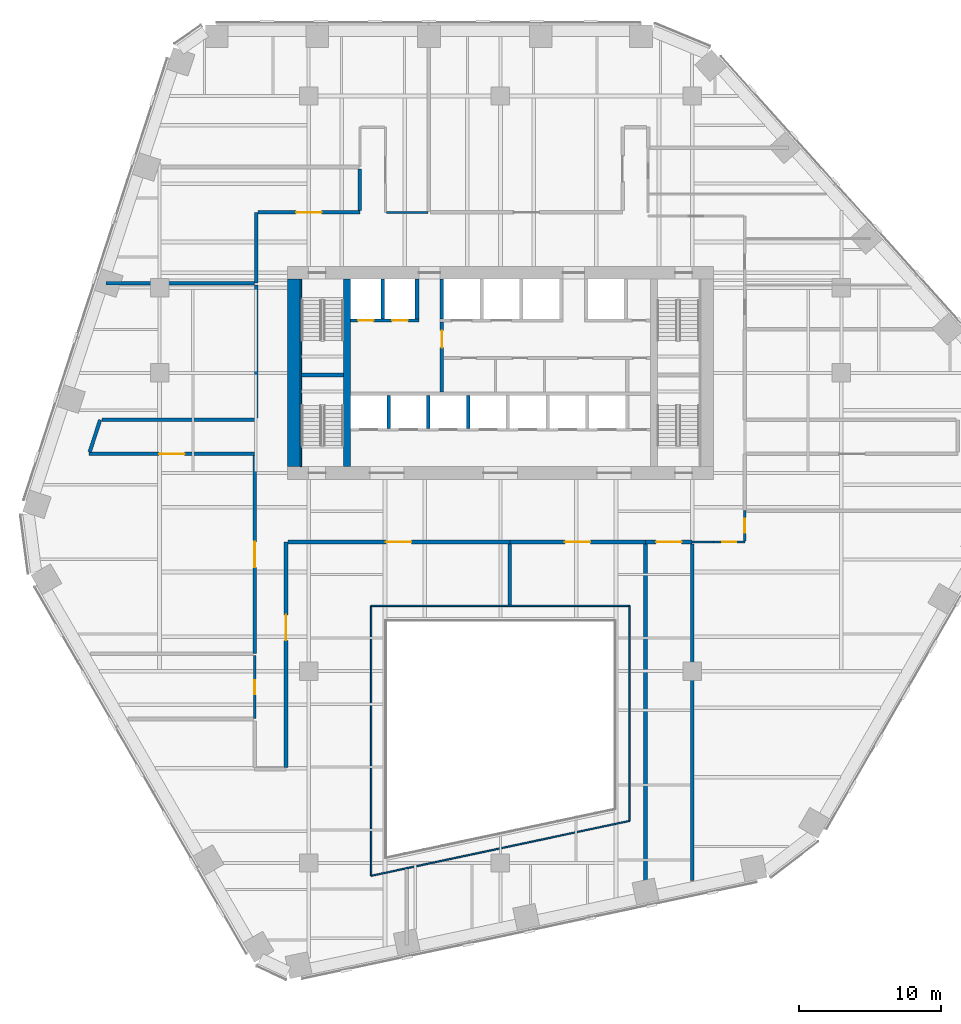
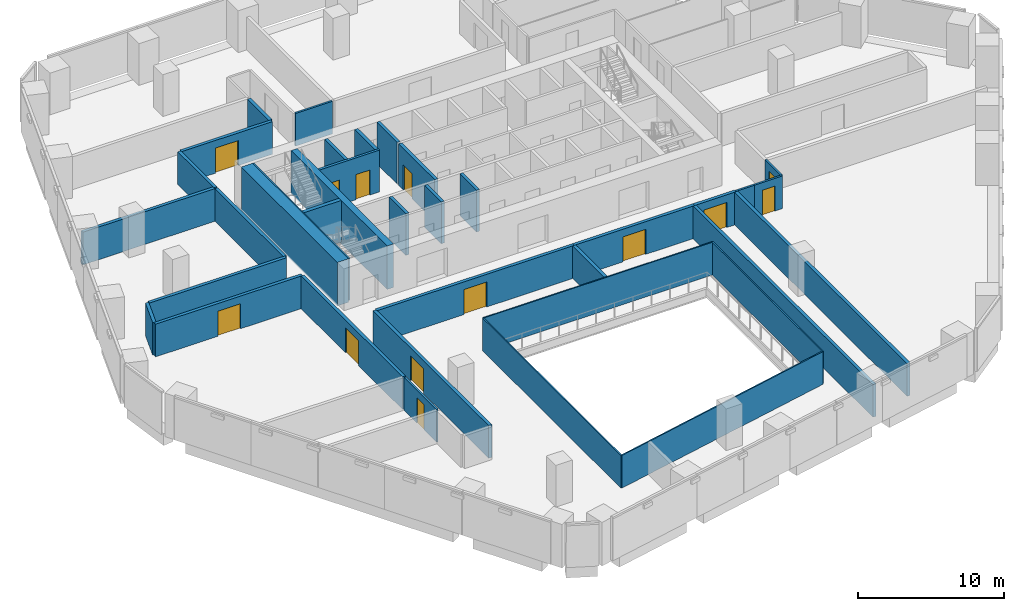
# One storey, part 14 of 21: 37 walls, 13 doors, 13 openings.
"""IFC4 building model written with IfcOpenShell, lengths in metres."""

from ifc_helpers import new_model, si_unit, direction, frame, frame_2d, origin, place, context, subcontext, project, spatial, rectangle, extrude, material, layer, layer_set, type_object, element, fill, save


model = new_model("IFC4")

# Units and contexts
model_context = context("Model", 3, precision=1e-05, world=origin(), true_north=direction((0.0, 1.0)))
body_context = subcontext(model_context, "Body", "Model", "MODEL_VIEW")
ifc_project = project(units=[si_unit("LENGTHUNIT", "METRE"), si_unit("AREAUNIT", "SQUARE_METRE"), si_unit("VOLUMEUNIT", "CUBIC_METRE"), si_unit("PLANEANGLEUNIT", "RADIAN"), si_unit("MASSUNIT", "GRAM", prefix="KILO")], contexts=[model_context])

# Site, building, storey
site_placement = place(None, origin())
site = spatial("IfcSite", under=ifc_project, at=site_placement, CompositionType="ELEMENT")
building_placement = place(site_placement, origin())
building = spatial("IfcBuilding", under=site, at=building_placement, Name="Isthmus Gate Tower", CompositionType="ELEMENT")
storey_placement = place(building_placement, frame((0.0, 0.0, 109.85009765625)))
storey = spatial("IfcBuildingStorey", under=building, at=storey_placement, Name="L26", CompositionType="ELEMENT", Elevation=109.85009765625)

# Wall, opening, door
ifc_material_1 = material(Name="Double-leaf acoustic stud wall, fire-rated", Category="gypsum")
ifc_layer_1 = layer(ifc_material_1, 0.25)
ifc_layer_set_1 = layer_set([ifc_layer_1], Name="ACOUSTIC WALL 250 60 MIN")
wall_type_1 = type_object("IfcWallType", Name="ACOUSTIC WALL 250 60 MIN", PredefinedType="PARTITIONING", material=ifc_layer_set_1)
wall_1_placement = place(storey_placement, frame((0.658935546875, -4.39990234375, 0.0), z_axis=(0.0, 0.0, 1.0), x_axis=(-1.0, 0.0, 0.0)))
wall_1 = element("IfcWall", 1, at=wall_1_placement, inside=storey, type_object=wall_type_1, Name="L26 Acoustic Wall 250 60 Min", PredefinedType="PARTITIONING", context=body_context, shape_type="SweptSolid", body=[
    extrude(rectangle(XDim=15.634033203125, YDim=0.25, at=frame_2d((7.81689453125, 0.0))), origin(), (0.0, 0.0, 1.0), 2.7412109375),
])
opening_1_placement = place(wall_1_placement, frame((6.929443359375, 0.0, 0.0)))
opening_1 = element("IfcOpeningElement", 2, at=opening_1_placement, cuts=wall_1, Name="Opening DT-T2D-15", PredefinedType="OPENING", context=body_context, shape_type="SweptSolid", body=[
    extrude(rectangle(XDim=1.800048828125, YDim=2.10009765625, at=frame_2d((0.89990234375, 1.050048828125))), frame((0.0, 0.135009765625, 0.0), z_axis=(0.0, -1.0, 0.0), x_axis=(1.0, 0.0, 0.0)), (0.0, 0.0, 1.0), 0.27001953125),
])
ifc_material_2 = material(Name="Solid core timber door leaf, fire-rated", Category="wood")
door_type_1 = type_object("IfcDoorType", Name="FIRE DOOR ACOUSTIC ROOM 1800 X 2100 60 MIN", OperationType="DOUBLE_DOOR_DOUBLE_SWING", PredefinedType="DOOR", material=ifc_material_2)
door_1_placement = place(opening_1_placement, origin())
door_1 = element("IfcDoor", 3, at=door_1_placement, inside=storey, type_object=door_type_1, Name="L26 room door", OperationType="DOUBLE_DOOR_DOUBLE_SWING", OverallHeight=2.10009765625, OverallWidth=1.800048828125, PredefinedType="DOOR", context=body_context, shape_type="SweptSolid", body=[
    extrude(rectangle(XDim=1.800048828125, YDim=2.10009765625, at=frame_2d((0.89990234375, 1.050048828125))), frame((0.0, 0.02490234375, 0.0), z_axis=(0.0, -1.0, 0.0), x_axis=(1.0, 0.0, 0.0)), (0.0, 0.0, 1.0), 0.050048828125),
])
fill(opening_1, door_1)

wall_2_placement = place(storey_placement, frame((10.212890625, -4.39990234375, 0.0), z_axis=(0.0, 0.0, 1.0), x_axis=(-1.0, 0.0, 0.0)))
wall_2 = element("IfcWall", 4, at=wall_2_placement, inside=storey, type_object=wall_type_1, Name="L26 Acoustic Wall 250 60 Min", PredefinedType="PARTITIONING", context=body_context, shape_type="SweptSolid", body=[
    extrude(rectangle(XDim=9.553955078125, YDim=0.25, at=frame_2d((4.77685546875, 0.0))), origin(), (0.0, 0.0, 1.0), 2.7412109375),
])
opening_2_placement = place(wall_2_placement, frame((3.876953125, 0.0, 0.0)))
opening_2 = element("IfcOpeningElement", 5, at=opening_2_placement, cuts=wall_2, Name="Opening DT-T2D-16", PredefinedType="OPENING", context=body_context, shape_type="SweptSolid", body=[
    extrude(rectangle(XDim=1.800048828125, YDim=2.10009765625, at=frame_2d((0.89990234375, 1.050048828125))), frame((0.0, 0.135009765625, 0.0), z_axis=(0.0, -1.0, 0.0), x_axis=(1.0, 0.0, 0.0)), (0.0, 0.0, 1.0), 0.27001953125),
])
door_2_placement = place(opening_2_placement, origin())
door_2 = element("IfcDoor", 6, at=door_2_placement, inside=storey, type_object=door_type_1, Name="L26 room door", OperationType="DOUBLE_DOOR_DOUBLE_SWING", OverallHeight=2.10009765625, OverallWidth=1.800048828125, PredefinedType="DOOR", context=body_context, shape_type="SweptSolid", body=[
    extrude(rectangle(XDim=1.800048828125, YDim=2.10009765625, at=frame_2d((0.89990234375, 1.050048828125))), frame((0.0, 0.02490234375, 0.0), z_axis=(0.0, -1.0, 0.0), x_axis=(1.0, 0.0, 0.0)), (0.0, 0.0, 1.0), 0.050048828125),
])
fill(opening_2, door_2)

wall_3_placement = place(storey_placement, frame((13.5, -4.39990234375, 0.0), z_axis=(0.0, 0.0, 1.0), x_axis=(-1.0, 0.0, 0.0)))
wall_3 = element("IfcWall", 7, at=wall_3_placement, inside=storey, type_object=wall_type_1, Name="L26 Acoustic Wall 250 60 Min", PredefinedType="PARTITIONING", context=body_context, shape_type="SweptSolid", body=[
    extrude(rectangle(XDim=3.287109375, YDim=0.25, at=frame_2d((1.6435546875, 0.0))), origin(), (0.0, 0.0, 1.0), 2.7412109375),
])
opening_3_placement = place(wall_3_placement, frame((0.743408203125, 0.0, 0.0)))
opening_3 = element("IfcOpeningElement", 8, at=opening_3_placement, cuts=wall_3, Name="Opening DT-T2D-18", PredefinedType="OPENING", context=body_context, shape_type="SweptSolid", body=[
    extrude(rectangle(XDim=1.800048828125, YDim=2.10009765625, at=frame_2d((0.89990234375, 1.050048828125))), frame((0.0, 0.135009765625, 0.0), z_axis=(0.0, -1.0, 0.0), x_axis=(1.0, 0.0, 0.0)), (0.0, 0.0, 1.0), 0.27001953125),
])
door_3_placement = place(opening_3_placement, origin())
door_3 = element("IfcDoor", 9, at=door_3_placement, inside=storey, type_object=door_type_1, Name="L26 room door", OperationType="DOUBLE_DOOR_DOUBLE_SWING", OverallHeight=2.10009765625, OverallWidth=1.800048828125, PredefinedType="DOOR", context=body_context, shape_type="SweptSolid", body=[
    extrude(rectangle(XDim=1.800048828125, YDim=2.10009765625, at=frame_2d((0.89990234375, 1.050048828125))), frame((0.0, 0.02490234375, 0.0), z_axis=(0.0, -1.0, 0.0), x_axis=(1.0, 0.0, 0.0)), (0.0, 0.0, 1.0), 0.050048828125),
])
fill(opening_3, door_3)

wall_4_placement = place(storey_placement, frame((-17.300048828125, 1.800048828125, 0.0), z_axis=(0.0, 0.0, 1.0), x_axis=(-1.0, 0.0, 0.0)))
wall_4 = element("IfcWall", 10, at=wall_4_placement, inside=storey, type_object=wall_type_1, Name="L26 Acoustic Wall 250 60 Min", PredefinedType="PARTITIONING", context=body_context, shape_type="SweptSolid", body=[
    extrude(rectangle(XDim=11.661865234375, YDim=0.25, at=frame_2d((5.8310546875, 0.0))), origin(), (0.0, 0.0, 1.0), 2.7412109375),
])
opening_4_placement = place(wall_4_placement, frame((4.930908203125, 0.0, 0.0)))
opening_4 = element("IfcOpeningElement", 11, at=opening_4_placement, cuts=wall_4, Name="Opening DT-T2D-10", PredefinedType="OPENING", context=body_context, shape_type="SweptSolid", body=[
    extrude(rectangle(XDim=1.800048828125, YDim=2.10009765625, at=frame_2d((0.89990234375, 1.050048828125))), frame((0.0, 0.135009765625, 0.0), z_axis=(0.0, -1.0, 0.0), x_axis=(1.0, 0.0, 0.0)), (0.0, 0.0, 1.0), 0.27001953125),
])
door_4_placement = place(opening_4_placement, origin())
door_4 = element("IfcDoor", 12, at=door_4_placement, inside=storey, type_object=door_type_1, Name="L26 room door", OperationType="DOUBLE_DOOR_DOUBLE_SWING", OverallHeight=2.10009765625, OverallWidth=1.800048828125, PredefinedType="DOOR", context=body_context, shape_type="SweptSolid", body=[
    extrude(rectangle(XDim=1.800048828125, YDim=2.10009765625, at=frame_2d((0.89990234375, 1.050048828125))), frame((0.0, 0.02490234375, 0.0), z_axis=(0.0, -1.0, 0.0), x_axis=(1.0, 0.0, 0.0)), (0.0, 0.0, 1.0), 0.050048828125),
])
fill(opening_4, door_4)

wall_5_placement = place(storey_placement, frame((-15.10009765625, -4.39990234375, 0.0), z_axis=(0.0, 0.0, 1.0), x_axis=(0.0, -1.0, 0.0)))
wall_5 = element("IfcWall", 13, at=wall_5_placement, inside=storey, type_object=wall_type_1, Name="L26 Acoustic Wall 250 60 Min", PredefinedType="PARTITIONING", context=body_context, shape_type="SweptSolid", body=[
    extrude(rectangle(XDim=15.875, YDim=0.25, at=frame_2d((7.9375, 0.0))), origin(), (0.0, 0.0, 1.0), 2.7412109375),
])
opening_5_placement = place(wall_5_placement, frame((5.132568359375, 0.0, 0.0)))
opening_5 = element("IfcOpeningElement", 14, at=opening_5_placement, cuts=wall_5, Name="Opening DT-T2D-14", PredefinedType="OPENING", context=body_context, shape_type="SweptSolid", body=[
    extrude(rectangle(XDim=1.800048828125, YDim=2.10009765625, at=frame_2d((0.89990234375, 1.050048828125))), frame((0.0, 0.135009765625, 0.0), z_axis=(0.0, -1.0, 0.0), x_axis=(1.0, 0.0, 0.0)), (0.0, 0.0, 1.0), 0.27001953125),
])
door_5_placement = place(opening_5_placement, origin())
door_5 = element("IfcDoor", 15, at=door_5_placement, inside=storey, type_object=door_type_1, Name="L26 room door", OperationType="DOUBLE_DOOR_DOUBLE_SWING", OverallHeight=2.10009765625, OverallWidth=1.800048828125, PredefinedType="DOOR", context=body_context, shape_type="SweptSolid", body=[
    extrude(rectangle(XDim=1.800048828125, YDim=2.10009765625, at=frame_2d((0.89990234375, 1.050048828125))), frame((0.0, 0.02490234375, 0.0), z_axis=(0.0, -1.0, 0.0), x_axis=(1.0, 0.0, 0.0)), (0.0, 0.0, 1.0), 0.050048828125),
])
fill(opening_5, door_5)

# Wall
wall_6_placement = place(storey_placement, frame((-17.199951171875, 13.830078125, 0.0), z_axis=(0.0, 0.0, 1.0), x_axis=(0.0, 1.0, 0.0)))
element("IfcWall", 16, at=wall_6_placement, inside=storey, type_object=wall_type_1, Name="L26 Acoustic Wall 250 60 Min", PredefinedType="PARTITIONING", context=body_context, shape_type="SweptSolid", body=[
    extrude(rectangle(XDim=4.969970703125, YDim=0.25, at=frame_2d((2.48486328125, 0.0))), origin(), (0.0, 0.0, 1.0), 2.7412109375),
])

# Wall, opening, door
wall_7_placement = place(storey_placement, frame((-17.074951171875, 18.800048828125, 0.0), z_axis=(0.0, 0.0, 1.0), x_axis=(1.0, 0.0, 0.0)))
wall_7 = element("IfcWall", 17, at=wall_7_placement, inside=storey, type_object=wall_type_1, Name="L26 Acoustic Wall 250 60 Min", PredefinedType="PARTITIONING", context=body_context, shape_type="SweptSolid", body=[
    extrude(rectangle(XDim=7.175048828125, YDim=0.25, at=frame_2d((3.58740234375, 0.0))), origin(), (0.0, 0.0, 1.0), 2.7412109375),
])
opening_6_placement = place(wall_7_placement, frame((2.6875, 0.0, 0.0)))
opening_6 = element("IfcOpeningElement", 18, at=opening_6_placement, cuts=wall_7, Name="Opening DT-T2D-05", PredefinedType="OPENING", context=body_context, shape_type="SweptSolid", body=[
    extrude(rectangle(XDim=1.800048828125, YDim=2.10009765625, at=frame_2d((0.89990234375, 1.050048828125))), frame((0.0, 0.135009765625, 0.0), z_axis=(0.0, -1.0, 0.0), x_axis=(1.0, 0.0, 0.0)), (0.0, 0.0, 1.0), 0.27001953125),
])
door_6_placement = place(opening_6_placement, origin())
door_6 = element("IfcDoor", 19, at=door_6_placement, inside=storey, type_object=door_type_1, Name="L26 room door", OperationType="DOUBLE_DOOR_DOUBLE_SWING", OverallHeight=2.10009765625, OverallWidth=1.800048828125, PredefinedType="DOOR", context=body_context, shape_type="SweptSolid", body=[
    extrude(rectangle(XDim=1.800048828125, YDim=2.10009765625, at=frame_2d((0.89990234375, 1.050048828125))), frame((0.0, 0.02490234375, 0.0), z_axis=(0.0, -1.0, 0.0), x_axis=(1.0, 0.0, 0.0)), (0.0, 0.0, 1.0), 0.050048828125),
])
fill(opening_6, door_6)

# Walls
wall_8_placement = place(storey_placement, frame((-9.89990234375, 18.925048828125, 0.0), z_axis=(0.0, 0.0, 1.0), x_axis=(0.0, 1.0, 0.0)))
element("IfcWall", 20, at=wall_8_placement, inside=storey, type_object=wall_type_1, Name="L26 Acoustic Wall 250 60 Min", PredefinedType="PARTITIONING", context=body_context, shape_type="SweptSolid", body=[
    extrude(rectangle(XDim=2.948974609375, YDim=0.25, at=frame_2d((1.474609375, 0.0))), origin(), (0.0, 0.0, 1.0), 2.7412109375),
])
wall_9_placement = place(storey_placement, frame((-27.787109375, 13.830078125, 0.0), z_axis=(0.0, 0.0, 1.0), x_axis=(1.0, 0.0, 0.0)))
element("IfcWall", 21, at=wall_9_placement, inside=storey, type_object=wall_type_1, Name="L26 Acoustic Wall 250 60 Min", PredefinedType="PARTITIONING", context=body_context, shape_type="SweptSolid", body=[
    extrude(rectangle(XDim=10.462158203125, YDim=0.25, at=frame_2d((5.23095703125, 0.0))), origin(), (0.0, 0.0, 1.0), 2.7412109375),
])
wall_10_placement = place(storey_placement, frame((-28.92138671875, 1.925048828125, 0.0), z_axis=(0.0, 0.0, 1.0), x_axis=(0.309146074309, 0.951014565998, 0.0)))
element("IfcWall", 22, at=wall_10_placement, inside=storey, type_object=wall_type_1, Name="L26 Acoustic Wall 250 60 Min", PredefinedType="PARTITIONING", context=body_context, shape_type="SweptSolid", body=[
    extrude(rectangle(XDim=2.39208984375, YDim=0.25, at=frame_2d((1.196044921875, 0.0))), origin(), (0.0, 0.0, 1.0), 2.7412109375),
])
wall_11_placement = place(storey_placement, frame((-28.056884765625, 4.199951171875, 0.0), z_axis=(0.0, 0.0, 1.0), x_axis=(1.0, 0.0, 0.0)))
element("IfcWall", 23, at=wall_11_placement, inside=storey, type_object=wall_type_1, Name="L26 Acoustic Wall 250 60 Min", PredefinedType="PARTITIONING", context=body_context, shape_type="SweptSolid", body=[
    extrude(rectangle(XDim=10.85693359375, YDim=0.25, at=frame_2d((5.428466796875, 0.0))), origin(), (0.0, 0.0, 1.0), 2.7412109375),
])
wall_12_placement = place(storey_placement, frame((-17.199951171875, 4.324951171875, 0.0), z_axis=(0.0, 0.0, 1.0), x_axis=(0.0, 1.0, 0.0)))
element("IfcWall", 24, at=wall_12_placement, inside=storey, type_object=wall_type_1, Name="L26 Acoustic Wall 250 60 Min", PredefinedType="PARTITIONING", context=body_context, shape_type="SweptSolid", body=[
    extrude(rectangle(XDim=9.380126953125, YDim=0.25, at=frame_2d((4.68994140625, 0.0))), origin(), (0.0, 0.0, 1.0), 2.7412109375),
])

# Wall, opening, door
wall_13_placement = place(storey_placement, frame((-17.300048828125, -12.264892578125, 0.0), z_axis=(0.0, 0.0, 1.0), x_axis=(0.0, 1.0, 0.0)))
wall_13 = element("IfcWall", 25, at=wall_13_placement, inside=storey, type_object=wall_type_1, Name="L26 Acoustic Wall 250 60 Min", PredefinedType="PARTITIONING", context=body_context, shape_type="SweptSolid", body=[
    extrude(rectangle(XDim=13.93994140625, YDim=0.25, at=frame_2d((6.969970703125, 0.0))), origin(), (0.0, 0.0, 1.0), 2.7412109375),
])
opening_7_placement = place(wall_13_placement, frame((6.070068359375, 0.0, 0.0)))
opening_7 = element("IfcOpeningElement", 26, at=opening_7_placement, cuts=wall_13, Name="Opening DT-T2D-09", PredefinedType="OPENING", context=body_context, shape_type="SweptSolid", body=[
    extrude(rectangle(XDim=1.800048828125, YDim=2.10009765625, at=frame_2d((0.89990234375, 1.050048828125))), frame((0.0, 0.135009765625, 0.0), z_axis=(0.0, -1.0, 0.0), x_axis=(1.0, 0.0, 0.0)), (0.0, 0.0, 1.0), 0.27001953125),
])
door_7_placement = place(opening_7_placement, origin())
door_7 = element("IfcDoor", 27, at=door_7_placement, inside=storey, type_object=door_type_1, Name="L26 room door", OperationType="DOUBLE_DOOR_DOUBLE_SWING", OverallHeight=2.10009765625, OverallWidth=1.800048828125, PredefinedType="DOOR", context=body_context, shape_type="SweptSolid", body=[
    extrude(rectangle(XDim=1.800048828125, YDim=2.10009765625, at=frame_2d((0.89990234375, 1.050048828125))), frame((0.0, 0.02490234375, 0.0), z_axis=(0.0, -1.0, 0.0), x_axis=(1.0, 0.0, 0.0)), (0.0, 0.0, 1.0), 0.050048828125),
])
fill(opening_7, door_7)

# Walls
wall_14_placement = place(storey_placement, frame((0.658935546875, -8.85009765625, 0.0), z_axis=(0.0, 0.0, 1.0), x_axis=(0.0, 1.0, 0.0)))
element("IfcWall", 28, at=wall_14_placement, inside=storey, type_object=wall_type_1, Name="L26 Acoustic Wall 250 60 Min", PredefinedType="PARTITIONING", context=body_context, shape_type="SweptSolid", body=[
    extrude(rectangle(XDim=4.3251953125, YDim=0.25, at=frame_2d((2.16259765625, 0.0))), origin(), (0.0, 0.0, 1.0), 2.7412109375),
])
wall_15_placement = place(storey_placement, frame((10.212890625, -29.216064453125, 0.0), z_axis=(0.0, 0.0, 1.0), x_axis=(0.0, 1.0, 0.0)))
element("IfcWall", 29, at=wall_15_placement, inside=storey, type_object=wall_type_1, Name="L26 Acoustic Wall 250 60 Min", PredefinedType="PARTITIONING", context=body_context, shape_type="SweptSolid", body=[
    extrude(rectangle(XDim=24.691162109375, YDim=0.25, at=frame_2d((12.345703125, 0.0))), origin(), (0.0, 0.0, 1.0), 2.7412109375),
])
wall_16_placement = place(storey_placement, frame((13.5, -28.217041015625, 0.0), z_axis=(0.0, 0.0, 1.0), x_axis=(0.0, 1.0, 0.0)))
element("IfcWall", 30, at=wall_16_placement, inside=storey, type_object=wall_type_1, Name="L26 Acoustic Wall 250 60 Min", PredefinedType="PARTITIONING", context=body_context, shape_type="SweptSolid", body=[
    extrude(rectangle(XDim=23.692138671875, YDim=0.25, at=frame_2d((11.84619140625, 0.0))), origin(), (0.0, 0.0, 1.0), 2.7412109375),
])
ifc_material_3 = material(Name="Fire-rated laminated glass in steel frame", Category="steel")
ifc_layer_2 = layer(ifc_material_3, 0.10009765625)
ifc_layer_set_2 = layer_set([ifc_layer_2], Name="ATRIUM SCREEN GLAZED WALL 100 120 MIN")
wall_type_2 = type_object("IfcWallType", Name="ATRIUM SCREEN GLAZED WALL 100 120 MIN", PredefinedType="PARTITIONING", material=ifc_layer_set_2)
wall_17_placement = place(storey_placement, frame((-9.10009765625, -8.89990234375, 0.0), z_axis=(0.0, 0.0, 1.0), x_axis=(1.0, 0.0, 0.0)))
element("IfcWall", 31, at=wall_17_placement, inside=storey, type_object=wall_type_2, Name="L26 atrium screen", PredefinedType="PARTITIONING", context=body_context, shape_type="SweptSolid", body=[
    extrude(rectangle(XDim=18.2001953125, YDim=0.10009765625, at=frame_2d((9.10009765625, 0.0))), origin(), (0.0, 0.0, 1.0), 2.7412109375),
])
wall_18_placement = place(storey_placement, frame((9.10009765625, -8.89990234375, 0.0), z_axis=(0.0, 0.0, 1.0), x_axis=(0.0, -1.0, 0.0)))
element("IfcWall", 32, at=wall_18_placement, inside=storey, type_object=wall_type_2, Name="L26 atrium screen", PredefinedType="PARTITIONING", context=body_context, shape_type="SweptSolid", body=[
    extrude(rectangle(XDim=15.134033203125, YDim=0.10009765625, at=frame_2d((7.56689453125, 0.0))), origin(), (0.0, 0.0, 1.0), 2.7412109375),
])
wall_19_placement = place(storey_placement, frame((9.10009765625, -24.033935546875, 0.0), z_axis=(0.0, 0.0, 1.0), x_axis=(-0.978146710971, -0.207915876778, 0.0)))
element("IfcWall", 33, at=wall_19_placement, inside=storey, type_object=wall_type_2, Name="L26 atrium screen", PredefinedType="PARTITIONING", context=body_context, shape_type="SweptSolid", body=[
    extrude(rectangle(XDim=18.60693359375, YDim=0.10009765625, at=frame_2d((9.303466796875, 0.0))), origin(), (0.0, 0.0, 1.0), 2.7412109375),
])
wall_20_placement = place(storey_placement, frame((-9.10009765625, -27.902587890625, 0.0), z_axis=(0.0, 0.0, 1.0), x_axis=(0.0, 1.0, 0.0)))
element("IfcWall", 34, at=wall_20_placement, inside=storey, type_object=wall_type_2, Name="L26 atrium screen", PredefinedType="PARTITIONING", context=body_context, shape_type="SweptSolid", body=[
    extrude(rectangle(XDim=19.002685546875, YDim=0.10009765625, at=frame_2d((9.50146484375, 0.0))), origin(), (0.0, 0.0, 1.0), 2.7412109375),
])
ifc_material_4 = material(Name="Gypsum board on steel studs, fire-rated", Category="steel")
ifc_layer_3 = layer(ifc_material_4, 0.14990234375)
ifc_layer_set_3 = layer_set([ifc_layer_3], Name="CORRIDOR WALL 150 60 MIN")
wall_type_3 = type_object("IfcWallType", Name="CORRIDOR WALL 150 60 MIN", PredefinedType="PARTITIONING", material=ifc_layer_set_3)
wall_21_placement = place(storey_placement, frame((15.0, -4.39990234375, 0.0), z_axis=(0.0, 0.0, 1.0), x_axis=(-1.0, 0.0, 0.0)))
element("IfcWall", 35, at=wall_21_placement, inside=storey, type_object=wall_type_3, Name="L26 Corridor Wall 150 60 Min", PredefinedType="PARTITIONING", context=body_context, shape_type="SweptSolid", body=[
    extrude(rectangle(XDim=1.5, YDim=0.14990234375, at=frame_2d((0.75, 0.0))), origin(), (0.0, 0.0, 1.0), 2.7412109375),
])

# Wall, opening, door
wall_22_placement = place(storey_placement, frame((17.199951171875, -4.39990234375, 0.0), z_axis=(0.0, 0.0, 1.0), x_axis=(-1.0, 0.0, 0.0)))
wall_22 = element("IfcWall", 36, at=wall_22_placement, inside=storey, type_object=wall_type_3, Name="L26 Corridor Wall 150 60 Min", PredefinedType="PARTITIONING", context=body_context, shape_type="SweptSolid", body=[
    extrude(rectangle(XDim=2.199951171875, YDim=0.14990234375, at=frame_2d((1.10009765625, 0.0))), origin(), (0.0, 0.0, 1.0), 2.7412109375),
])
opening_8_placement = place(wall_22_placement, frame((0.60009765625, 0.0, 0.0)))
opening_8 = element("IfcOpeningElement", 37, at=opening_8_placement, cuts=wall_22, Name="Opening DT-T2D-11", PredefinedType="OPENING", context=body_context, shape_type="SweptSolid", body=[
    extrude(rectangle(XDim=1.0, YDim=2.10009765625, at=frame_2d((0.5, 1.050048828125))), frame((0.0, 0.0849609375, 0.0), z_axis=(0.0, -1.0, 0.0), x_axis=(1.0, 0.0, 0.0)), (0.0, 0.0, 1.0), 0.169921875),
])
ifc_material_5 = material(Name="Solid core timber door leaf, fire-rated", Category="wood")
door_type_2 = type_object("IfcDoorType", Name="FIRE DOOR ROOM 1000 X 2100 60 MIN", OperationType="SINGLE_SWING_LEFT", PredefinedType="DOOR", material=ifc_material_5)
door_8_placement = place(opening_8_placement, origin())
door_8 = element("IfcDoor", 38, at=door_8_placement, inside=storey, type_object=door_type_2, Name="L26 room door", OperationType="SINGLE_SWING_RIGHT", OverallHeight=2.10009765625, OverallWidth=1.0, PredefinedType="DOOR", context=body_context, shape_type="SweptSolid", body=[
    extrude(rectangle(XDim=1.0, YDim=2.10009765625, at=frame_2d((0.5, 1.050048828125))), frame((0.0, 0.02490234375, 0.0), z_axis=(0.0, -1.0, 0.0), x_axis=(1.0, 0.0, 0.0)), (0.0, 0.0, 1.0), 0.050048828125),
])
fill(opening_8, door_8)

wall_23_placement = place(storey_placement, frame((17.199951171875, -2.199951171875, 0.0), z_axis=(0.0, 0.0, 1.0), x_axis=(0.0, -1.0, 0.0)))
wall_23 = element("IfcWall", 39, at=wall_23_placement, inside=storey, type_object=wall_type_3, Name="L26 Corridor Wall 150 60 Min", PredefinedType="PARTITIONING", context=body_context, shape_type="SweptSolid", body=[
    extrude(rectangle(XDim=2.125, YDim=0.14990234375, at=frame_2d((1.0625, 0.0))), origin(), (0.0, 0.0, 1.0), 2.7412109375),
])
opening_9_placement = place(wall_23_placement, frame((0.5625, 0.0, 0.0)))
opening_9 = element("IfcOpeningElement", 40, at=opening_9_placement, cuts=wall_23, Name="Opening DT-T2D-12", PredefinedType="OPENING", context=body_context, shape_type="SweptSolid", body=[
    extrude(rectangle(XDim=1.0, YDim=2.10009765625, at=frame_2d((0.5, 1.050048828125))), frame((0.0, 0.0849609375, 0.0), z_axis=(0.0, -1.0, 0.0), x_axis=(1.0, 0.0, 0.0)), (0.0, 0.0, 1.0), 0.169921875),
])
door_9_placement = place(opening_9_placement, origin())
door_9 = element("IfcDoor", 41, at=door_9_placement, inside=storey, type_object=door_type_2, Name="L26 room door", OperationType="SINGLE_SWING_RIGHT", OverallHeight=2.10009765625, OverallWidth=1.0, PredefinedType="DOOR", context=body_context, shape_type="SweptSolid", body=[
    extrude(rectangle(XDim=1.0, YDim=2.10009765625, at=frame_2d((0.5, 1.050048828125))), frame((0.0, 0.02490234375, 0.0), z_axis=(0.0, -1.0, 0.0), x_axis=(1.0, 0.0, 0.0)), (0.0, 0.0, 1.0), 0.050048828125),
])
fill(opening_9, door_9)

# Wall
wall_24_placement = place(storey_placement, frame((-8.02490234375, 18.800048828125, 0.0), z_axis=(0.0, 0.0, 1.0), x_axis=(1.0, 0.0, 0.0)))
element("IfcWall", 42, at=wall_24_placement, inside=storey, type_object=wall_type_3, Name="L26 Corridor Wall 150 60 Min", PredefinedType="PARTITIONING", context=body_context, shape_type="SweptSolid", body=[
    extrude(rectangle(XDim=2.93798828125, YDim=0.14990234375, at=frame_2d((1.468994140625, 0.0))), origin(), (0.0, 0.0, 1.0), 2.7412109375),
])

# Wall, opening, door
wall_25_placement = place(storey_placement, frame((-17.300048828125, -16.81201171875, 0.0), z_axis=(0.0, 0.0, 1.0), x_axis=(0.0, 1.0, 0.0)))
wall_25 = element("IfcWall", 43, at=wall_25_placement, inside=storey, type_object=wall_type_3, Name="L26 Corridor Wall 150 60 Min", PredefinedType="PARTITIONING", context=body_context, shape_type="SweptSolid", body=[
    extrude(rectangle(XDim=4.422119140625, YDim=0.14990234375, at=frame_2d((2.2109375, 0.0))), origin(), (0.0, 0.0, 1.0), 2.7412109375),
])
opening_10_placement = place(wall_25_placement, frame((1.68603515625, 0.0, 0.0)))
opening_10 = element("IfcOpeningElement", 44, at=opening_10_placement, cuts=wall_25, Name="Opening DT-T2D-13", PredefinedType="OPENING", context=body_context, shape_type="SweptSolid", body=[
    extrude(rectangle(XDim=1.0, YDim=2.10009765625, at=frame_2d((0.5, 1.050048828125))), frame((0.0, 0.0849609375, 0.0), z_axis=(0.0, -1.0, 0.0), x_axis=(1.0, 0.0, 0.0)), (0.0, 0.0, 1.0), 0.169921875),
])
door_10_placement = place(opening_10_placement, origin())
door_10 = element("IfcDoor", 45, at=door_10_placement, inside=storey, type_object=door_type_2, Name="L26 room door", OperationType="SINGLE_SWING_RIGHT", OverallHeight=2.10009765625, OverallWidth=1.0, PredefinedType="DOOR", context=body_context, shape_type="SweptSolid", body=[
    extrude(rectangle(XDim=1.0, YDim=2.10009765625, at=frame_2d((0.5, 1.050048828125))), frame((0.0, 0.02490234375, 0.0), z_axis=(0.0, -1.0, 0.0), x_axis=(1.0, 0.0, 0.0)), (0.0, 0.0, 1.0), 0.050048828125),
])
fill(opening_10, door_10)

ifc_material_6 = material(Name="Fire-rated blockwork masonry, 15 MPa", Category="masonry")
ifc_layer_4 = layer(ifc_material_6, 0.25)
ifc_layer_set_4 = layer_set([ifc_layer_4], Name="FIRE-FIGHTING LOBBY WALL 250 90 MIN")
wall_type_4 = type_object("IfcWallType", Name="FIRE-FIGHTING LOBBY WALL 250 90 MIN", PredefinedType="PARTITIONING", material=ifc_layer_set_4)
wall_26_placement = place(storey_placement, frame((-4.125, 6.14990234375, 0.0), z_axis=(0.0, 0.0, 1.0), x_axis=(0.0, 1.0, 0.0)))
wall_26 = element("IfcWall", 46, at=wall_26_placement, inside=storey, type_object=wall_type_4, Name="L26 FIRE-FIGHTING LOBBY WALL 250 90 MIN", PredefinedType="PARTITIONING", context=body_context, shape_type="SweptSolid", body=[
    extrude(rectangle(XDim=4.9501953125, YDim=0.25, at=frame_2d((2.47509765625, 0.0))), origin(), (0.0, 0.0, 1.0), 3.5),
])
opening_11_placement = place(wall_26_placement, frame((3.125, 0.0, 0.0)))
opening_11 = element("IfcOpeningElement", 47, at=opening_11_placement, cuts=wall_26, Name="Opening DC-A03-01", PredefinedType="OPENING", context=body_context, shape_type="SweptSolid", body=[
    extrude(rectangle(XDim=1.199951171875, YDim=2.10009765625, at=frame_2d((0.60009765625, 1.050048828125))), frame((0.0, 0.135009765625, 0.0), z_axis=(0.0, -1.0, 0.0), x_axis=(1.0, 0.0, 0.0)), (0.0, 0.0, 1.0), 0.27001953125),
])
ifc_material_7 = material(Name="Steel door leaf, fire-rated", Category="steel")
door_type_3 = type_object("IfcDoorType", Name="LOBBY FIRE DOOR 1200 X 2100 90 MIN", OperationType="DOUBLE_DOOR_SINGLE_SWING", PredefinedType="DOOR", material=ifc_material_7)
door_11_placement = place(opening_11_placement, origin())
door_11 = element("IfcDoor", 48, at=door_11_placement, inside=storey, type_object=door_type_3, Name="Fire-fighting Lobby Door", OperationType="SINGLE_SWING_LEFT", OverallHeight=2.10009765625, OverallWidth=1.199951171875, PredefinedType="DOOR", context=body_context, shape_type="SweptSolid", body=[
    extrude(rectangle(XDim=1.199951171875, YDim=2.10009765625, at=frame_2d((0.60009765625, 1.050048828125))), frame((0.0, 0.02490234375, 0.0), z_axis=(0.0, -1.0, 0.0), x_axis=(1.0, 0.0, 0.0)), (0.0, 0.0, 1.0), 0.050048828125),
])
fill(opening_11, door_11)

# Walls
ifc_material_8 = material(Name="Concrete f'c 70 MPa", Category="concrete")
ifc_layer_5 = layer(ifc_material_8, 0.5)
ifc_layer_set_5 = layer_set([ifc_layer_5], Name="RC CORE SPINE WALL 500 F'C 70")
wall_type_5 = type_object("IfcWallType", Name="RC CORE SPINE WALL 500 F'C 70", PredefinedType="SOLIDWALL", material=ifc_layer_set_5)
wall_27_placement = place(storey_placement, frame((-10.800048828125, 0.89990234375, -0.150146484375), z_axis=(0.0, 0.0, 1.0), x_axis=(0.0, 1.0, 0.0)))
element("IfcWall", 49, at=wall_27_placement, inside=storey, type_object=wall_type_5, Name="str-corewall-L26-SPW", PredefinedType="SOLIDWALL", context=body_context, shape_type="SweptSolid", body=[
    extrude(rectangle(XDim=13.2001953125, YDim=0.5, at=frame_2d((6.60009765625, 0.0))), origin(), (0.0, 0.0, 1.0), 3.650146484375),
])
ifc_material_9 = material(Name="Concrete f'c 70 MPa", Category="concrete")
ifc_layer_6 = layer(ifc_material_9, 0.89990234375)
ifc_layer_set_6 = layer_set([ifc_layer_6], Name="RC CORE WALL 900 F'C 70")
wall_type_6 = type_object("IfcWallType", Name="RC CORE WALL 900 F'C 70", PredefinedType="SOLIDWALL", material=ifc_layer_set_6)
wall_28_placement = place(storey_placement, frame((-14.550048828125, 0.89990234375, -0.150146484375), z_axis=(0.0, 0.0, 1.0), x_axis=(0.0, 1.0, 0.0)))
element("IfcWall", 50, at=wall_28_placement, inside=storey, type_object=wall_type_6, Name="str-corewall-L26-W", PredefinedType="SOLIDWALL", context=body_context, shape_type="SweptSolid", body=[
    extrude(rectangle(XDim=13.2001953125, YDim=0.89990234375, at=frame_2d((6.60009765625, 0.0))), origin(), (0.0, 0.0, 1.0), 3.650146484375),
])

# Wall, openings, doors
ifc_material_10 = material(Name="Fire-rated blockwork masonry, 15 MPa", Category="masonry")
ifc_layer_7 = layer(ifc_material_10, 0.199951171875)
ifc_layer_set_7 = layer_set([ifc_layer_7], Name="SHAFT FRONT WALL 200 120 MIN")
wall_type_7 = type_object("IfcWallType", Name="SHAFT FRONT WALL 200 120 MIN", PredefinedType="PARTITIONING", material=ifc_layer_set_7)
wall_29_placement = place(storey_placement, frame((-10.550048828125, 11.199951171875, 0.0), z_axis=(0.0, 0.0, 1.0), x_axis=(1.0, 0.0, 0.0)))
wall_29 = element("IfcWall", 51, at=wall_29_placement, inside=storey, type_object=wall_type_7, Name="L26 SHAFT FRONT WALL 200 120 MIN", PredefinedType="PARTITIONING", context=body_context, shape_type="SweptSolid", body=[
    extrude(rectangle(XDim=4.800048828125, YDim=0.199951171875, at=frame_2d((2.39990234375, 0.0))), origin(), (0.0, 0.0, 1.0), 3.5),
])
opening_12_placement = place(wall_29_placement, frame((0.52490234375, 0.0, 0.0)))
opening_12 = element("IfcOpeningElement", 52, at=opening_12_placement, cuts=wall_29, Name="Opening LD-LF1", PredefinedType="OPENING", context=body_context, shape_type="SweptSolid", body=[
    extrude(rectangle(XDim=1.10009765625, YDim=2.10009765625, at=frame_2d((0.550048828125, 1.050048828125))), frame((0.0, 0.10986328125, 0.0), z_axis=(0.0, -1.0, 0.0), x_axis=(1.0, 0.0, 0.0)), (0.0, 0.0, 1.0), 0.219970703125),
])
opening_13_placement = place(wall_29_placement, frame((2.925048828125, 0.0, 0.0)))
opening_13 = element("IfcOpeningElement", 53, at=opening_13_placement, cuts=wall_29, Name="Opening LD-LF2", PredefinedType="OPENING", context=body_context, shape_type="SweptSolid", body=[
    extrude(rectangle(XDim=1.10009765625, YDim=2.10009765625, at=frame_2d((0.550048828125, 1.050048828125))), frame((0.0, 0.10986328125, 0.0), z_axis=(0.0, -1.0, 0.0), x_axis=(1.0, 0.0, 0.0)), (0.0, 0.0, 1.0), 0.219970703125),
])
ifc_material_11 = material(Name="Stainless steel sliding leaf", Category="steel")
door_type_4 = type_object("IfcDoorType", Name="LIFT LANDING FIRE DOOR 1100 X 2100 90 MIN", OperationType="DOUBLE_DOOR_SLIDING", PredefinedType="DOOR", material=ifc_material_11)
door_12_placement = place(opening_12_placement, origin())
door_12 = element("IfcDoor", 54, at=door_12_placement, inside=storey, type_object=door_type_4, Name="Lift Landing Door LF1", OperationType="DOUBLE_DOOR_SLIDING", OverallHeight=2.10009765625, OverallWidth=1.10009765625, PredefinedType="DOOR", context=body_context, shape_type="SweptSolid", body=[
    extrude(rectangle(XDim=1.10009765625, YDim=2.10009765625, at=frame_2d((0.550048828125, 1.050048828125))), frame((0.0, 0.02490234375, 0.0), z_axis=(0.0, -1.0, 0.0), x_axis=(1.0, 0.0, 0.0)), (0.0, 0.0, 1.0), 0.050048828125),
])
fill(opening_12, door_12)
door_13_placement = place(opening_13_placement, origin())
door_13 = element("IfcDoor", 55, at=door_13_placement, inside=storey, type_object=door_type_4, Name="Lift Landing Door LF2", OperationType="DOUBLE_DOOR_SLIDING", OverallHeight=2.10009765625, OverallWidth=1.10009765625, PredefinedType="DOOR", context=body_context, shape_type="SweptSolid", body=[
    extrude(rectangle(XDim=1.10009765625, YDim=2.10009765625, at=frame_2d((0.550048828125, 1.050048828125))), frame((0.0, 0.02490234375, 0.0), z_axis=(0.0, -1.0, 0.0), x_axis=(1.0, 0.0, 0.0)), (0.0, 0.0, 1.0), 0.050048828125),
])
fill(opening_13, door_13)

# Walls
ifc_material_12 = material(Name="Fire-rated blockwork masonry, 15 MPa", Category="masonry")
ifc_layer_8 = layer(ifc_material_12, 0.25)
ifc_layer_set_8 = layer_set([ifc_layer_8], Name="SHAFT WALL 250 120 MIN")
wall_type_8 = type_object("IfcWallType", Name="SHAFT WALL 250 120 MIN", PredefinedType="PARTITIONING", material=ifc_layer_set_8)
for number, where, z_axis, x_axis, name in (
    (56, (-7.875, 3.60009765625, 0.0), (0.0, 0.0, 1.0), (0.0, 1.0, 0.0), "L26 SHAFT WALL 250 120 MIN"),
    (57, (-5.074951171875, 3.60009765625, 0.0), (0.0, 0.0, 1.0), (0.0, 1.0, 0.0), "L26 SHAFT WALL 250 120 MIN"),
    (58, (-2.27490234375, 3.60009765625, 0.0), (0.0, 0.0, 1.0), (0.0, 1.0, 0.0), "L26 SHAFT WALL 250 120 MIN"),
):
    element("IfcWall", number, at=place(storey_placement, frame(where, z_axis=z_axis, x_axis=x_axis)), inside=storey, type_object=wall_type_8, Name=name, PredefinedType="PARTITIONING", context=body_context, shape_type="SweptSolid", body=[
        extrude(rectangle(XDim=2.2998046875, YDim=0.25, at=frame_2d((1.14990234375, 0.0))), origin(), (0.0, 0.0, 1.0), 3.5),
    ])
for number, where, z_axis, x_axis, name in (
    (59, (-8.27490234375, 11.300048828125, 0.0), (0.0, 0.0, 1.0), (0.0, 1.0, 0.0), "L26 SHAFT WALL 250 120 MIN"),
    (60, (-5.875, 11.300048828125, 0.0), (0.0, 0.0, 1.0), (0.0, 1.0, 0.0), "L26 SHAFT WALL 250 120 MIN"),
    (61, (-4.125, 11.300048828125, 0.0), (0.0, 0.0, 1.0), (0.0, 1.0, 0.0), "L26 SHAFT WALL 250 120 MIN"),
):
    element("IfcWall", number, at=place(storey_placement, frame(where, z_axis=z_axis, x_axis=x_axis)), inside=storey, type_object=wall_type_8, Name=name, PredefinedType="PARTITIONING", context=body_context, shape_type="SweptSolid", body=[
        extrude(rectangle(XDim=2.800048828125, YDim=0.25, at=frame_2d((1.39990234375, 0.0))), origin(), (0.0, 0.0, 1.0), 3.5),
    ])
ifc_material_13 = material(Name="Concrete f'c 40 MPa", Category="concrete")
ifc_layer_9 = layer(ifc_material_13, 0.10009765625)
ifc_layer_set_9 = layer_set([ifc_layer_9], Name="STAIR ENCLOSURE WALL 100 180 MIN")
wall_type_9 = type_object("IfcWallType", Name="STAIR ENCLOSURE WALL 100 180 MIN", PredefinedType="SOLIDWALL", material=ifc_layer_set_9)
wall_30_placement = place(storey_placement, frame((-14.050048828125, 0.89990234375, 0.0), z_axis=(0.0, 0.0, 1.0), x_axis=(0.0, 1.0, 0.0)))
element("IfcWall", 62, at=wall_30_placement, inside=storey, type_object=wall_type_9, Name="L26 STAIR ENCLOSURE WALL 100 180 MIN", PredefinedType="SOLIDWALL", context=body_context, shape_type="SweptSolid", body=[
    extrude(rectangle(XDim=13.2001953125, YDim=0.10009765625, at=frame_2d((6.60009765625, 0.0))), origin(), (0.0, 0.0, 1.0), 3.5),
])
ifc_material_14 = material(Name="Concrete f'c 40 MPa", Category="concrete")
ifc_layer_10 = layer(ifc_material_14, 0.300048828125)
ifc_layer_set_10 = layer_set([ifc_layer_10], Name="STAIR ENCLOSURE WALL 300 180 MIN")
wall_type_10 = type_object("IfcWallType", Name="STAIR ENCLOSURE WALL 300 180 MIN", PredefinedType="SOLIDWALL", material=ifc_layer_set_10)
wall_31_placement = place(storey_placement, frame((-14.0, 7.35009765625, 0.0), z_axis=(0.0, 0.0, 1.0), x_axis=(1.0, 0.0, 0.0)))
element("IfcWall", 63, at=wall_31_placement, inside=storey, type_object=wall_type_10, Name="L26 STAIR ENCLOSURE WALL 300 180 MIN", PredefinedType="SOLIDWALL", context=body_context, shape_type="SweptSolid", body=[
    extrude(rectangle(XDim=2.949951171875, YDim=0.300048828125, at=frame_2d((1.47509765625, 0.0))), origin(), (0.0, 0.0, 1.0), 3.5),
])

save(model, "model.ifc")
